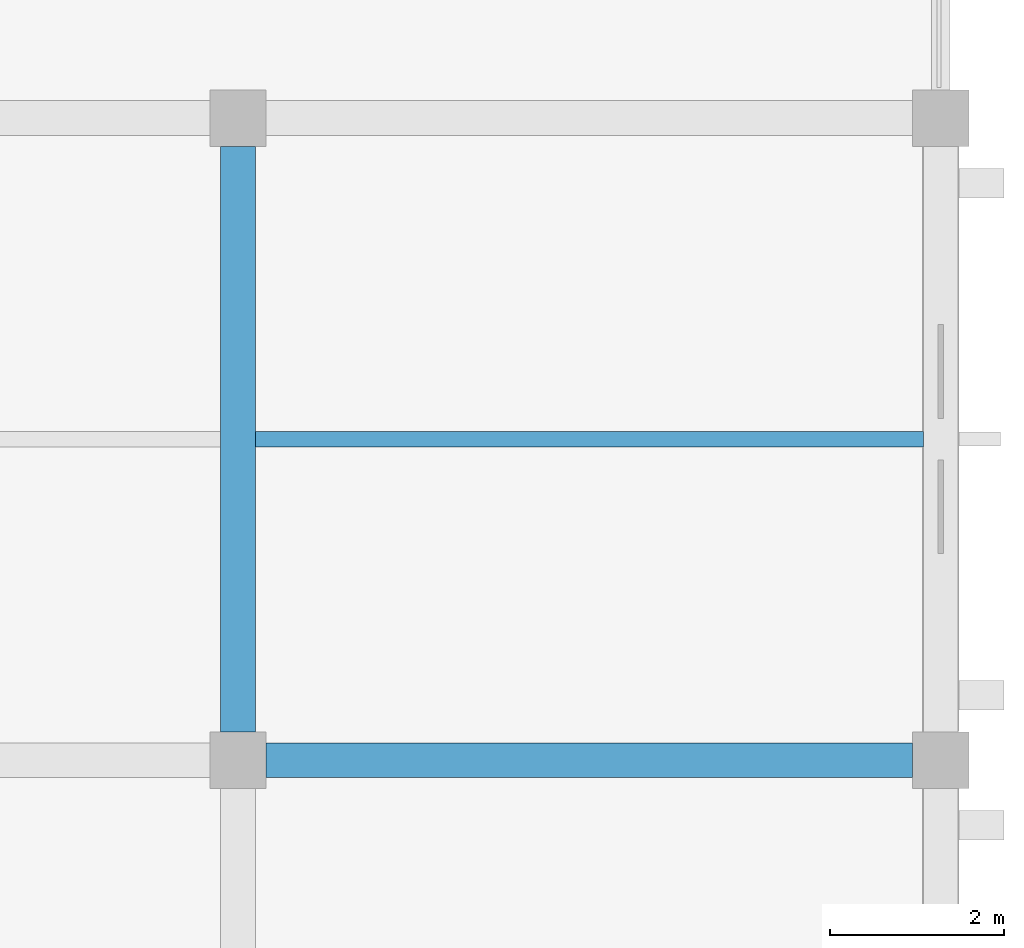
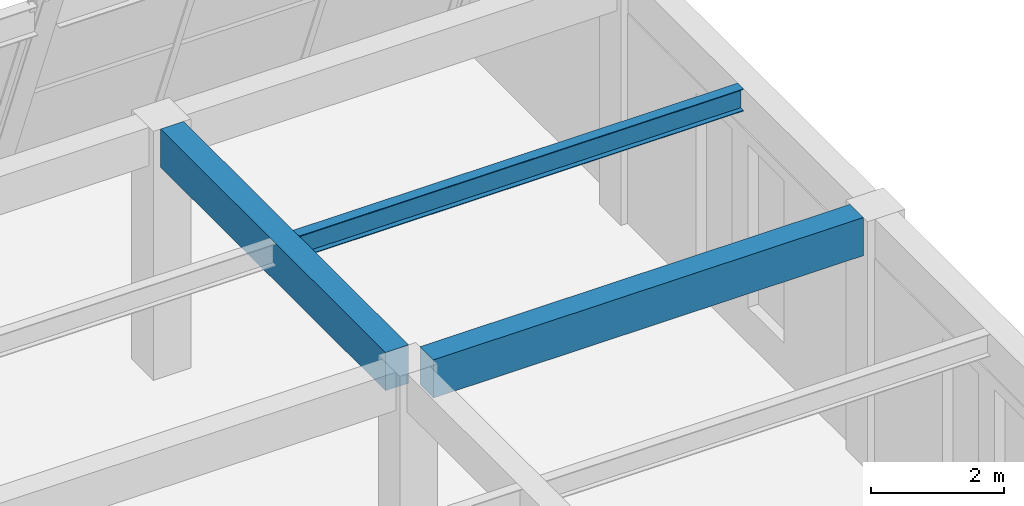
# One storey, part 125 of 161: 3 beams.
"""IFC4 building model written with IfcOpenShell, lengths in metres."""

from ifc_helpers import new_model, si_unit, direction, frame, origin, origin_2d, place, context, subcontext, project, spatial, rectangle, i_section, extrude, material, material_profile, profile_set, type_object, element, save


model = new_model("IFC4")

# Units and contexts
model_context = context("Model", 3, precision=1e-05, world=origin(), true_north=direction((0.0, 1.0)))
body_context = subcontext(model_context, "Body", "Model", "MODEL_VIEW")
ifc_project = project(units=[si_unit("LENGTHUNIT", "METRE"), si_unit("AREAUNIT", "SQUARE_METRE"), si_unit("VOLUMEUNIT", "CUBIC_METRE"), si_unit("PLANEANGLEUNIT", "RADIAN"), si_unit("MASSUNIT", "GRAM", prefix="KILO")], contexts=[model_context])

# Site, building, storey
site_placement = place(None, origin())
site = spatial("IfcSite", under=ifc_project, at=site_placement, CompositionType="ELEMENT")
building_placement = place(site_placement, origin())
building = spatial("IfcBuilding", under=site, at=building_placement, Name="Cimatlan Art Gallery", CompositionType="ELEMENT")
storey_placement = place(building_placement, frame((0.0, 0.0, 5.39990234375)))
storey = spatial("IfcBuildingStorey", under=building, at=storey_placement, Name="L01", CompositionType="ELEMENT", Elevation=5.39990234375)

# Beams
ifc_material_1 = material(Name="Concrete C40/50", Category="concrete")
ifc_material_profile_1 = material_profile(ifc_material_1, rectangle(XDim=0.39990234375, YDim=0.699951171875, at=origin_2d()), Name="RC400X700")
ifc_profile_set_1 = profile_set([ifc_material_profile_1], Name="Concrete C40/50")
beam_type_1 = type_object("IfcBeamType", Name="BM-RC-400X700", PredefinedType="BEAM", material=ifc_profile_set_1)
beam_1_placement = place(storey_placement, frame((155.89990234375, 68.625, 4.210205078125), z_axis=(0.0, 1.0, 0.0), x_axis=(-1.0, 0.0, 0.0)))
element("IfcBeam", 1, at=beam_1_placement, inside=storey, type_object=beam_type_1, Name="BM-Y-L01-19-09", PredefinedType="BEAM", context=body_context, shape_type="SweptSolid", body=[
    extrude(rectangle(XDim=0.39990234375, YDim=0.699951171875, at=origin_2d()), origin(), (0.0, 0.0, 1.0), 6.75),
])
beam_2_placement = place(storey_placement, frame((156.22509765625, 68.300048828125, 4.210205078125), z_axis=(1.0, 0.0, 0.0), x_axis=(0.0, 1.0, 0.0)))
element("IfcBeam", 2, at=beam_2_placement, inside=storey, type_object=beam_type_1, Name="BM-X-L01-19-09", PredefinedType="BEAM", context=body_context, shape_type="SweptSolid", body=[
    extrude(rectangle(XDim=0.39990234375, YDim=0.699951171875, at=origin_2d()), origin(), (0.0, 0.0, 1.0), 7.449951171875),
])
ifc_material_2 = material(Name="Steel ASTM A992 Grade 50", Category="steel")
ifc_material_profile_2 = material_profile(ifc_material_2, i_section(OverallWidth=0.177978515625, OverallDepth=0.406982421875, WebThickness=0.0078125, FlangeThickness=0.0126953125, at=origin_2d()), Name="W16X40")
ifc_profile_set_2 = profile_set([ifc_material_profile_2], Name="Steel ASTM A992 Grade 50")
beam_type_2 = type_object("IfcBeamType", Name="BM-STL-W16X40", PredefinedType="JOIST", material=ifc_profile_set_2)
beam_3_placement = place(storey_placement, frame((156.10009765625, 72.0, 4.356689453125), z_axis=(1.0, 0.0, 0.0), x_axis=(0.0, 1.0, 0.0)))
element("IfcBeam", 3, at=beam_3_placement, inside=storey, type_object=beam_type_2, Name="JST-L01-19-09", PredefinedType="JOIST", context=body_context, shape_type="SweptSolid", body=[
    extrude(i_section(OverallWidth=0.177978515625, OverallDepth=0.406982421875, WebThickness=0.0078125, FlangeThickness=0.0126953125, at=origin_2d()), origin(), (0.0, 0.0, 1.0), 7.699951171875),
])

save(model, "model.ifc")
